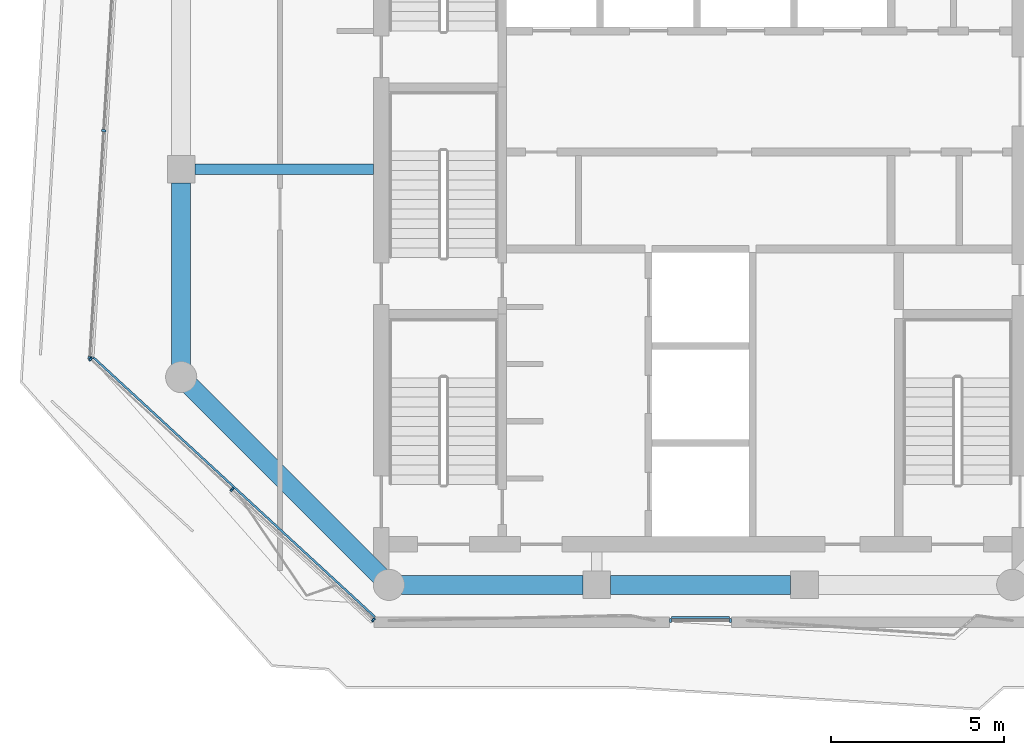
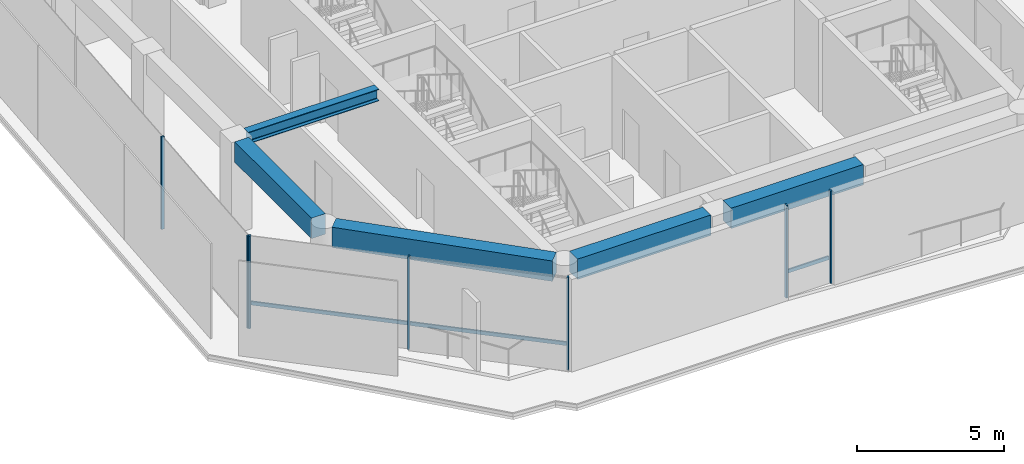
# One storey, part 2 of 19: 9 members, 5 beams, 3 elements without a shape of their own.
"""IFC4 building model written with IfcOpenShell, lengths in metres."""

from ifc_helpers import new_model, si_unit, direction, frame, origin, origin_2d, place, context, subcontext, project, spatial, rectangle, i_section, extrude, material, layer, layer_set, material_profile, profile_set, type_object, element, aggregate, save


model = new_model("IFC4")

# Units and contexts
model_context = context("Model", 3, precision=1e-05, world=origin(), true_north=direction((0.0, 1.0)))
body_context = subcontext(model_context, "Body", "Model", "MODEL_VIEW")
ifc_project = project(units=[si_unit("LENGTHUNIT", "METRE"), si_unit("AREAUNIT", "SQUARE_METRE"), si_unit("VOLUMEUNIT", "CUBIC_METRE"), si_unit("PLANEANGLEUNIT", "RADIAN"), si_unit("MASSUNIT", "GRAM", prefix="KILO")], contexts=[model_context])

# Site, building, storey
site_placement = place(None, origin())
site = spatial("IfcSite", under=ifc_project, at=site_placement, CompositionType="ELEMENT")
building_placement = place(site_placement, origin())
building = spatial("IfcBuilding", under=site, at=building_placement, Name="Welwitschia Terrace Campus", CompositionType="ELEMENT")
storey_placement = place(building_placement, frame((0.0, 0.0, 243.199951171875)))
storey = spatial("IfcBuildingStorey", under=building, at=storey_placement, Name="L54", CompositionType="ELEMENT", Elevation=243.199951171875)

# Curtain wall, members
ifc_material_1 = material(Name="Bronze anodised aluminium", Category="aluminium")
ifc_layer = layer(ifc_material_1, 0.1201171875)
ifc_layer_set = layer_set([ifc_layer], Name="Bronze anodised aluminium")
curtain_wall_type = type_object("IfcCurtainWallType", Name="Curtain wall CW2 tower 6000", PredefinedType="NOTDEFINED", material=ifc_layer_set)
curtain_wall_1_placement = place(storey_placement, origin())
curtain_wall_1 = element("IfcCurtainWall", 1, at=curtain_wall_1_placement, inside=storey, type_object=curtain_wall_type, Name="CW L54.0.0", PredefinedType="NOTDEFINED")
ifc_material_2 = material(Name="Bronze anodised aluminium", Category="aluminium")
ifc_material_profile_1 = material_profile(ifc_material_2, rectangle(XDim=0.1201171875, YDim=0.06005859375, at=origin_2d()))
ifc_profile_set_1 = profile_set([ifc_material_profile_1], Name="Bronze anodised aluminium")
member_type_1 = type_object("IfcMemberType", Name="Mullion 60x120", PredefinedType="MULLION", material=ifc_profile_set_1)
member_1_placement = place(storey_placement, frame((-2.23681640625, 17.115966796875, 0.0), z_axis=(0.0, 0.0, 1.0), x_axis=(0.998134798422, -0.061048539535, 0.0)))
member_1 = element("IfcMember", 2, at=member_1_placement, type_object=member_type_1, Name="Mullion L54.0.0.3", PredefinedType="MULLION", context=body_context, shape_type="SweptSolid", body=[
    extrude(rectangle(XDim=0.1201171875, YDim=0.06005859375, at=origin_2d()), origin(), (0.0, 0.0, 1.0), 3.85009765625),
])
member_2_placement = place(storey_placement, frame((-2.63720703125, 10.5693359375, 0.0), z_axis=(0.0, 0.0, 1.0), x_axis=(0.998134798422, -0.061048539535, 0.0)))
member_2 = element("IfcMember", 3, at=member_2_placement, type_object=member_type_1, Name="Mullion L54.0.0.4", PredefinedType="MULLION", context=body_context, shape_type="SweptSolid", body=[
    extrude(rectangle(XDim=0.1201171875, YDim=0.06005859375, at=origin_2d()), origin(), (0.0, 0.0, 1.0), 3.85009765625),
])
aggregate(curtain_wall_1, [member_1, member_2])

curtain_wall_2_placement = place(storey_placement, origin())
curtain_wall_2 = element("IfcCurtainWall", 4, at=curtain_wall_2_placement, inside=storey, type_object=curtain_wall_type, Name="CW L54.1.0", PredefinedType="NOTDEFINED")
member_3_placement = place(storey_placement, frame((-2.616943359375, 10.51904296875, 0.0), z_axis=(0.0, 0.0, 1.0), x_axis=(0.677730256761, 0.735310614007, 0.0)))
member_3 = element("IfcMember", 5, at=member_3_placement, type_object=member_type_1, Name="Mullion L54.1.0.0", PredefinedType="MULLION", context=body_context, shape_type="SweptSolid", body=[
    extrude(rectangle(XDim=0.1201171875, YDim=0.06005859375, at=origin_2d()), origin(), (0.0, 0.0, 1.0), 3.85009765625),
])
member_4_placement = place(storey_placement, frame((1.46728515625, 6.754638671875, 0.0), z_axis=(0.0, 0.0, 1.0), x_axis=(0.677730256761, 0.735310614007, 0.0)))
member_4 = element("IfcMember", 6, at=member_4_placement, type_object=member_type_1, Name="Mullion L54.1.0.1", PredefinedType="MULLION", context=body_context, shape_type="SweptSolid", body=[
    extrude(rectangle(XDim=0.1201171875, YDim=0.06005859375, at=origin_2d()), origin(), (0.0, 0.0, 1.0), 3.85009765625),
])
member_5_placement = place(storey_placement, frame((5.55126953125, 2.990234375, 0.0), z_axis=(0.0, 0.0, 1.0), x_axis=(0.677730256761, 0.735310614007, 0.0)))
member_5 = element("IfcMember", 7, at=member_5_placement, type_object=member_type_1, Name="Mullion L54.1.0.2", PredefinedType="MULLION", context=body_context, shape_type="SweptSolid", body=[
    extrude(rectangle(XDim=0.1201171875, YDim=0.06005859375, at=origin_2d()), origin(), (0.0, 0.0, 1.0), 3.85009765625),
])

curtain_wall_3_placement = place(storey_placement, origin())
curtain_wall_3 = element("IfcCurtainWall", 8, at=curtain_wall_3_placement, inside=storey, type_object=curtain_wall_type, Name="CW L54.2.S0", PredefinedType="NOTDEFINED")
member_6_placement = place(storey_placement, frame((14.1298828125, 2.969970703125, 0.0), z_axis=(0.0, 0.0, 1.0), x_axis=(0.0, 1.0, 0.0)))
member_6 = element("IfcMember", 9, at=member_6_placement, type_object=member_type_1, Name="Mullion L54.2.S0.0", PredefinedType="MULLION", context=body_context, shape_type="SweptSolid", body=[
    extrude(rectangle(XDim=0.1201171875, YDim=0.06005859375, at=origin_2d()), origin(), (0.0, 0.0, 1.0), 3.85009765625),
])
member_7_placement = place(storey_placement, frame((15.8701171875, 2.969970703125, 0.0), z_axis=(0.0, 0.0, 1.0), x_axis=(0.0, 1.0, 0.0)))
member_7 = element("IfcMember", 10, at=member_7_placement, type_object=member_type_1, Name="Mullion L54.2.S0.1", PredefinedType="MULLION", context=body_context, shape_type="SweptSolid", body=[
    extrude(rectangle(XDim=0.1201171875, YDim=0.06005859375, at=origin_2d()), origin(), (0.0, 0.0, 1.0), 3.85009765625),
])

# Beams
ifc_material_3 = material(Name="Steel S355", Category="steel")
ifc_material_profile_2 = material_profile(ifc_material_3, i_section(OverallWidth=0.300048828125, OverallDepth=0.489990234375, WebThickness=0.011962890625, FlangeThickness=0.02294921875, FilletRadius=0.027099609375, at=origin_2d()))
ifc_profile_set_2 = profile_set([ifc_material_profile_2], Name="Steel S355")
beam_type_1 = type_object("IfcBeamType", Name="Primary beam HE 500 A", PredefinedType="BEAM", material=ifc_profile_set_2)
beam_1_placement = place(storey_placement, frame((0.400390625, 16.0, 3.60498046875), z_axis=(1.0, 0.0, 0.0), x_axis=(0.0, 1.0, 0.0)))
element("IfcBeam", 11, at=beam_1_placement, inside=storey, type_object=beam_type_1, Name="Primary beam PB5", PredefinedType="BEAM", context=body_context, shape_type="SweptSolid", body=[
    extrude(i_section(OverallWidth=0.300048828125, OverallDepth=0.489990234375, WebThickness=0.011962890625, FlangeThickness=0.02294921875, FilletRadius=0.027099609375, at=origin_2d()), origin(), (0.0, 0.0, 1.0), 5.149658203125),
])
ifc_material_4 = material(Name="Concrete C50/60", Category="concrete")
ifc_material_profile_3 = material_profile(ifc_material_4, rectangle(XDim=0.550048828125, YDim=0.85009765625, at=origin_2d()))
ifc_profile_set_3 = profile_set([ifc_material_profile_3], Name="Concrete C50/60")
beam_type_2 = type_object("IfcBeamType", Name="Ring spandrel 550x850", PredefinedType="SPANDREL", material=ifc_profile_set_3)
beam_2_placement = place(storey_placement, frame((0.25244140625, 9.74755859375, 3.425048828125), z_axis=(0.707106781187, -0.707106781187, 0.0), x_axis=(0.707106781187, 0.707106781187, 0.0)))
element("IfcBeam", 12, at=beam_2_placement, inside=storey, type_object=beam_type_2, Name="Spandrel SP3", PredefinedType="SPANDREL", context=body_context, shape_type="SweptSolid", body=[
    extrude(rectangle(XDim=0.550048828125, YDim=0.85009765625, at=origin_2d()), origin(), (0.0, 0.0, 1.0), 7.771240234375),
])
beam_3_placement = place(storey_placement, frame((6.35693359375, 4.0, 3.425048828125), z_axis=(1.0, 0.0, 0.0), x_axis=(0.0, 1.0, 0.0)))
element("IfcBeam", 13, at=beam_3_placement, inside=storey, type_object=beam_type_2, Name="Spandrel SP3", PredefinedType="SPANDREL", context=body_context, shape_type="SweptSolid", body=[
    extrude(rectangle(XDim=0.550048828125, YDim=0.85009765625, at=origin_2d()), origin(), (0.0, 0.0, 1.0), 5.24267578125),
])
beam_4_placement = place(storey_placement, frame((12.400390625, 4.0, 3.425048828125), z_axis=(1.0, 0.0, 0.0), x_axis=(0.0, 1.0, 0.0)))
element("IfcBeam", 14, at=beam_4_placement, inside=storey, type_object=beam_type_2, Name="Spandrel SP3", PredefinedType="SPANDREL", context=body_context, shape_type="SweptSolid", body=[
    extrude(rectangle(XDim=0.550048828125, YDim=0.85009765625, at=origin_2d()), origin(), (0.0, 0.0, 1.0), 5.19921875),
])
beam_5_placement = place(storey_placement, frame((0.0, 15.599609375, 3.425048828125), z_axis=(0.0, -1.0, 0.0), x_axis=(1.0, 0.0, 0.0)))
element("IfcBeam", 15, at=beam_5_placement, inside=storey, type_object=beam_type_2, Name="Spandrel SP3", PredefinedType="SPANDREL", context=body_context, shape_type="SweptSolid", body=[
    extrude(rectangle(XDim=0.550048828125, YDim=0.85009765625, at=origin_2d()), origin(), (0.0, 0.0, 1.0), 5.24267578125),
])

# Member
ifc_material_5 = material(Name="Bronze anodised aluminium", Category="aluminium")
ifc_material_profile_4 = material_profile(ifc_material_5, rectangle(XDim=0.06005859375, YDim=0.14990234375, at=origin_2d()))
ifc_profile_set_4 = profile_set([ifc_material_profile_4], Name="Bronze anodised aluminium")
member_type_2 = type_object("IfcMemberType", Name="Transom 60x150", PredefinedType="USERDEFINED", material=ifc_profile_set_4)
member_8_placement = place(storey_placement, frame((-2.533935546875, 10.564697265625, 1.0), z_axis=(0.735323391599, -0.677716393315, 0.0), x_axis=(0.677716393315, 0.735323391599, 0.0)))
member_8 = element("IfcMember", 16, at=member_8_placement, type_object=member_type_2, Name="Transom L54.1.0", ObjectType="TRANSOM", PredefinedType="USERDEFINED", context=body_context, shape_type="SweptSolid", body=[
    extrude(rectangle(XDim=0.06005859375, YDim=0.14990234375, at=origin_2d()), origin(), (0.0, 0.0, 1.0), 11.048583984375),
])

aggregate(curtain_wall_2, [member_3, member_4, member_5, member_8])

member_9_placement = place(storey_placement, frame((14.159912109375, 3.06005859375, 1.0), z_axis=(1.0, 0.0, 0.0), x_axis=(0.0, 1.0, 0.0)))
member_9 = element("IfcMember", 17, at=member_9_placement, type_object=member_type_2, Name="Transom L54.2.S0", ObjectType="TRANSOM", PredefinedType="USERDEFINED", context=body_context, shape_type="SweptSolid", body=[
    extrude(rectangle(XDim=0.06005859375, YDim=0.14990234375, at=origin_2d()), origin(), (0.0, 0.0, 1.0), 1.68017578125),
])

aggregate(curtain_wall_3, [member_6, member_7, member_9])

save(model, "model.ifc")
